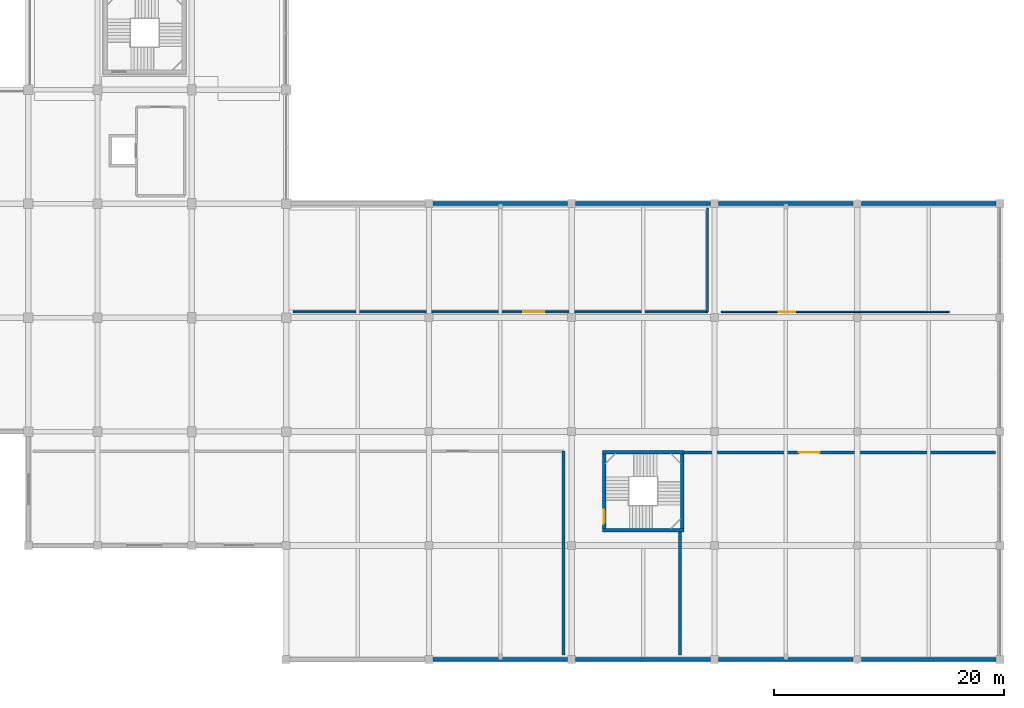
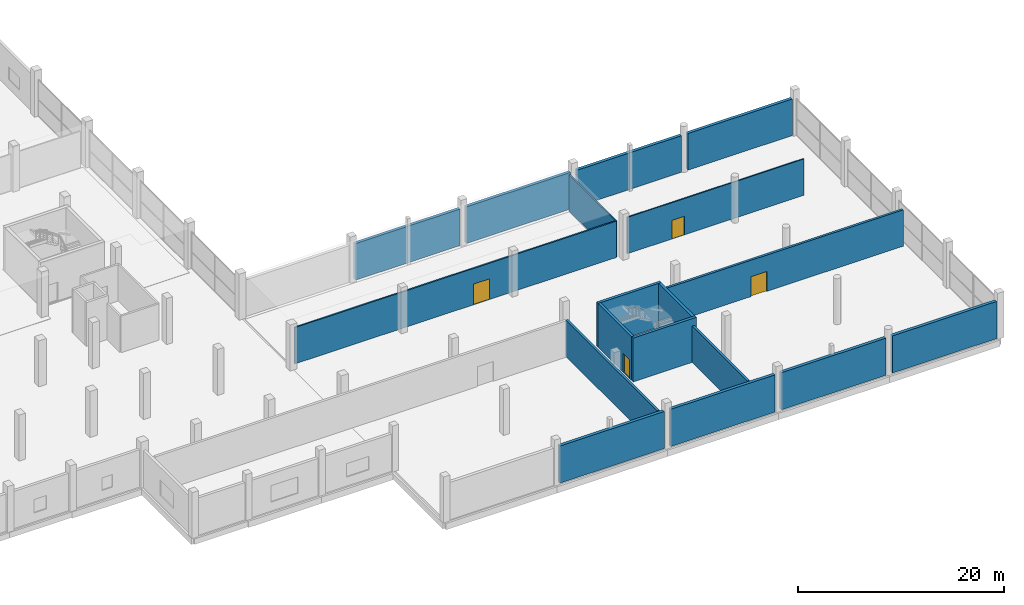
# One storey, part 48 of 74: 18 walls, 4 doors, 4 openings.
"""IFC4 building model written with IfcOpenShell, lengths in metres."""

from ifc_helpers import new_model, si_unit, direction, frame, frame_2d, origin, place, context, subcontext, project, spatial, rectangle, extrude, material, layer, layer_set, type_object, element, fill, save


model = new_model("IFC4")

# Units and contexts
model_context = context("Model", 3, precision=1e-05, world=origin(), true_north=direction((0.0, 1.0)))
body_context = subcontext(model_context, "Body", "Model", "MODEL_VIEW")
ifc_project = project(units=[si_unit("LENGTHUNIT", "METRE"), si_unit("AREAUNIT", "SQUARE_METRE"), si_unit("VOLUMEUNIT", "CUBIC_METRE"), si_unit("PLANEANGLEUNIT", "RADIAN"), si_unit("MASSUNIT", "GRAM", prefix="KILO")], contexts=[model_context])

# Site, building, storey
site_placement = place(None, origin())
site = spatial("IfcSite", under=ifc_project, at=site_placement, CompositionType="ELEMENT")
building_placement = place(site_placement, origin())
building = spatial("IfcBuilding", under=site, at=building_placement, Name="Sillaruma Civic Art Gallery", CompositionType="ELEMENT")
storey_placement = place(building_placement, frame((0.0, 0.0, 5.43994140625)))
storey = spatial("IfcBuildingStorey", under=building, at=storey_placement, Name="L01", CompositionType="ELEMENT", Elevation=5.43994140625)

# Walls
ifc_material_1 = material(Name="Concrete H40 (40 MPa)", Category="concrete")
ifc_layer_1 = layer(ifc_material_1, 0.300048828125, Name="Concrete H40 (40 MPa)")
ifc_layer_set_1 = layer_set([ifc_layer_1], Name="Concrete H40 (40 MPa)")
wall_type_1 = type_object("IfcWallType", Name="WAL-CORE-300", PredefinedType="SHEAR", material=ifc_layer_set_1)
for number, where, z_axis, x_axis, name in (
    (1, (141.860107421875, 11.25, 0.0), (0.0, 0.0, 1.0), (1.0, 0.0, 0.0), "Stair Core Shear Wall W-CORE-300 (ST-05:L01:S)"),
    (2, (141.860107421875, 18.030029296875, 0.0), (0.0, 0.0, 1.0), (1.0, 0.0, 0.0), "Stair Core Shear Wall W-CORE-300 (ST-05:L01:N)"),
):
    element("IfcWall", number, at=place(storey_placement, frame(where, z_axis=z_axis, x_axis=x_axis)), inside=storey, type_object=wall_type_1, Name=name, PredefinedType="SHEAR", context=body_context, shape_type="SweptSolid", body=[
        extrude(rectangle(XDim=7.079833984375, YDim=0.300048828125, at=frame_2d((3.5400390625, 0.0))), origin(), (0.0, 0.0, 1.0), 5.18017578125),
    ])

# Wall, opening, door
wall_1_placement = place(storey_placement, frame((142.010009765625, 11.39990234375, 0.0), z_axis=(0.0, 0.0, 1.0), x_axis=(0.0, 1.0, 0.0)))
wall_1 = element("IfcWall", 3, at=wall_1_placement, inside=storey, type_object=wall_type_1, Name="Stair Core Shear Wall W-CORE-300 (ST-05:L01:W)", PredefinedType="SHEAR", context=body_context, shape_type="SweptSolid", body=[
    extrude(rectangle(XDim=6.47998046875, YDim=0.300048828125, at=frame_2d((3.239990234375, 0.0))), origin(), (0.0, 0.0, 1.0), 5.18017578125),
])
opening_1_placement = place(wall_1_placement, frame((0.419921875, 0.0, 0.0)))
opening_1 = element("IfcOpeningElement", 4, at=opening_1_placement, cuts=wall_1, Name="Opening D-STAIR", PredefinedType="OPENING", context=body_context, shape_type="SweptSolid", body=[
    extrude(rectangle(XDim=1.199951171875, YDim=2.199951171875, at=frame_2d((0.60009765625, 1.10009765625))), frame((0.0, 0.159912109375, 0.0), z_axis=(0.0, -1.0, 0.0), x_axis=(1.0, 0.0, 0.0)), (0.0, 0.0, 1.0), 0.320068359375),
])
ifc_material_2 = material(Name="Galvanised Steel ASTM A653 Gr.50", Category="steel")
door_type_1 = type_object("IfcDoorType", Name="DOR-STAIR-120", OperationType="NOTDEFINED", PredefinedType="DOOR", material=ifc_material_2)
door_1_placement = place(opening_1_placement, frame((1.199951171875, 0.0, 0.0), z_axis=(0.0, 0.0, 1.0), x_axis=(-1.0, 0.0, 0.0)))
door_1 = element("IfcDoor", 5, at=door_1_placement, inside=storey, type_object=door_type_1, Name="Protected Stair Fire Door (ST-05:L01)", OperationType="SINGLE_SWING_RIGHT", OverallHeight=2.199951171875, OverallWidth=1.199951171875, PredefinedType="DOOR", context=body_context, shape_type="SweptSolid", body=[
    extrude(rectangle(XDim=1.199951171875, YDim=2.199951171875, at=frame_2d((0.60009765625, 1.10009765625))), frame((0.0, 0.02490234375, 0.0), z_axis=(0.0, -1.0, 0.0), x_axis=(1.0, 0.0, 0.0)), (0.0, 0.0, 1.0), 0.050048828125),
])
fill(opening_1, door_1)

# Walls
wall_2_placement = place(storey_placement, frame((148.7900390625, 11.39990234375, 0.0), z_axis=(0.0, 0.0, 1.0), x_axis=(0.0, 1.0, 0.0)))
element("IfcWall", 6, at=wall_2_placement, inside=storey, type_object=wall_type_1, Name="Stair Core Shear Wall W-CORE-300 (ST-05:L01:E)", PredefinedType="SHEAR", context=body_context, shape_type="SweptSolid", body=[
    extrude(rectangle(XDim=6.47998046875, YDim=0.300048828125, at=frame_2d((3.239990234375, 0.0))), origin(), (0.0, 0.0, 1.0), 5.18017578125),
])
ifc_layer_2 = layer(ifc_material_1, 0.239990234375, Name="Boundary concrete", Category="concrete")
ifc_material_3 = material(Name="Mineral Wool Thermal Insulation", Category="insulation")
ifc_layer_3 = layer(ifc_material_3, 0.10009765625, Name="Acoustic-thermal liner", Category="insulation")
ifc_layer_set_2 = layer_set([ifc_layer_2, ifc_layer_3], Name="W-EXT-340")
wall_type_2 = type_object("IfcWallType", Name="WAL-EXT-340", PredefinedType="SOLIDWALL", material=ifc_layer_set_2)
wall_3_placement = place(storey_placement, frame((127.14990234375, 0.0, 0.0), z_axis=(0.0, 0.0, 1.0), x_axis=(1.0, 0.0, 0.0)))
element("IfcWall", 7, at=wall_3_placement, inside=storey, type_object=wall_type_2, Name="Exterior Wall W-EXT-340 (EW-L01-EPS-2)", PredefinedType="SOLIDWALL", context=body_context, shape_type="SweptSolid", body=[
    extrude(rectangle(XDim=11.7001953125, YDim=0.340087890625, at=frame_2d((5.85009765625, 0.0))), origin(), (0.0, 0.0, 1.0), 4.400146484375),
])
wall_4_placement = place(storey_placement, frame((127.14990234375, 39.60009765625, 0.0), z_axis=(0.0, 0.0, 1.0), x_axis=(1.0, 0.0, 0.0)))
element("IfcWall", 8, at=wall_4_placement, inside=storey, type_object=wall_type_2, Name="Exterior Wall W-EXT-340 (EW-L01-EPN-2)", PredefinedType="SOLIDWALL", context=body_context, shape_type="SweptSolid", body=[
    extrude(rectangle(XDim=11.7001953125, YDim=0.340087890625, at=frame_2d((5.85009765625, 0.0))), origin(), (0.0, 0.0, 1.0), 4.330078125),
])
wall_5_placement = place(storey_placement, frame((139.550048828125, 0.0, 0.0), z_axis=(0.0, 0.0, 1.0), x_axis=(1.0, 0.0, 0.0)))
element("IfcWall", 9, at=wall_5_placement, inside=storey, type_object=wall_type_2, Name="Exterior Wall W-EXT-340 (EW-L01-EPS-3)", PredefinedType="SOLIDWALL", context=body_context, shape_type="SweptSolid", body=[
    extrude(rectangle(XDim=11.699951171875, YDim=0.340087890625, at=frame_2d((5.85009765625, 0.0))), origin(), (0.0, 0.0, 1.0), 4.400146484375),
])
wall_6_placement = place(storey_placement, frame((139.550048828125, 39.60009765625, 0.0), z_axis=(0.0, 0.0, 1.0), x_axis=(1.0, 0.0, 0.0)))
element("IfcWall", 10, at=wall_6_placement, inside=storey, type_object=wall_type_2, Name="Exterior Wall W-EXT-340 (EW-L01-EPN-3)", PredefinedType="SOLIDWALL", context=body_context, shape_type="SweptSolid", body=[
    extrude(rectangle(XDim=11.699951171875, YDim=0.340087890625, at=frame_2d((5.85009765625, 0.0))), origin(), (0.0, 0.0, 1.0), 4.330078125),
])
wall_7_placement = place(storey_placement, frame((151.949951171875, 0.0, 0.0), z_axis=(0.0, 0.0, 1.0), x_axis=(1.0, 0.0, 0.0)))
element("IfcWall", 11, at=wall_7_placement, inside=storey, type_object=wall_type_2, Name="Exterior Wall W-EXT-340 (EW-L01-EPS-4)", PredefinedType="SOLIDWALL", context=body_context, shape_type="SweptSolid", body=[
    extrude(rectangle(XDim=11.68994140625, YDim=0.340087890625, at=frame_2d((5.844970703125, 0.0))), origin(), (0.0, 0.0, 1.0), 4.400146484375),
])
wall_8_placement = place(storey_placement, frame((151.949951171875, 39.60009765625, 0.0), z_axis=(0.0, 0.0, 1.0), x_axis=(1.0, 0.0, 0.0)))
element("IfcWall", 12, at=wall_8_placement, inside=storey, type_object=wall_type_2, Name="Exterior Wall W-EXT-340 (EW-L01-EPN-4)", PredefinedType="SOLIDWALL", context=body_context, shape_type="SweptSolid", body=[
    extrude(rectangle(XDim=11.68994140625, YDim=0.340087890625, at=frame_2d((5.844970703125, 0.0))), origin(), (0.0, 0.0, 1.0), 4.330078125),
])
wall_9_placement = place(storey_placement, frame((164.360107421875, 0.0, 0.0), z_axis=(0.0, 0.0, 1.0), x_axis=(1.0, 0.0, 0.0)))
element("IfcWall", 13, at=wall_9_placement, inside=storey, type_object=wall_type_2, Name="Exterior Wall W-EXT-340 (EW-L01-EPS-5)", PredefinedType="SOLIDWALL", context=body_context, shape_type="SweptSolid", body=[
    extrude(rectangle(XDim=11.68994140625, YDim=0.340087890625, at=frame_2d((5.844970703125, 0.0))), origin(), (0.0, 0.0, 1.0), 4.400146484375),
])
wall_10_placement = place(storey_placement, frame((164.360107421875, 39.60009765625, 0.0), z_axis=(0.0, 0.0, 1.0), x_axis=(1.0, 0.0, 0.0)))
element("IfcWall", 14, at=wall_10_placement, inside=storey, type_object=wall_type_2, Name="Exterior Wall W-EXT-340 (EW-L01-EPN-5)", PredefinedType="SOLIDWALL", context=body_context, shape_type="SweptSolid", body=[
    extrude(rectangle(XDim=11.68994140625, YDim=0.340087890625, at=frame_2d((5.844970703125, 0.0))), origin(), (0.0, 0.0, 1.0), 4.330078125),
])

# Wall, opening, door
ifc_material_4 = material(Name="Gypsum Acoustic Board", Category="gypsum")
ifc_layer_4 = layer(ifc_material_4, 0.02490234375, Name="Finish board", Category="gypsum")
ifc_layer_5 = layer(ifc_material_3, 0.090087890625, Name="Acoustic core", Category="insulation")
ifc_material_5 = material(Name="Andean Oak Timber", Category="wood")
ifc_layer_6 = layer(ifc_material_5, 0.02490234375, Name="Gallery lining", Category="wood")
ifc_layer_set_3 = layer_set([ifc_layer_4, ifc_layer_5, ifc_layer_6], Name="W-PT-140")
wall_type_3 = type_object("IfcWallType", Name="WAL-PART-140", PredefinedType="PARTITIONING", material=ifc_layer_set_3)
wall_11_placement = place(storey_placement, frame((152.199951171875, 30.199951171875, 0.0), z_axis=(0.0, 0.0, 1.0), x_axis=(1.0, 0.0, 0.0)))
wall_11 = element("IfcWall", 15, at=wall_11_placement, inside=storey, type_object=wall_type_3, Name="Interior Wall W-PT-140 (L01-CUR11)", PredefinedType="PARTITIONING", context=body_context, shape_type="SweptSolid", body=[
    extrude(rectangle(XDim=19.800048828125, YDim=0.139892578125, at=frame_2d((9.89990234375, 0.0))), origin(), (0.0, 0.0, 1.0), 4.300048828125),
])
opening_2_placement = place(wall_11_placement, frame((5.0, 0.0, 0.0)))
opening_2 = element("IfcOpeningElement", 16, at=opening_2_placement, cuts=wall_11, Name="Opening D-INT14", PredefinedType="OPENING", context=body_context, shape_type="SweptSolid", body=[
    extrude(rectangle(XDim=1.39990234375, YDim=2.199951171875, at=frame_2d((0.699951171875, 1.10009765625))), frame((0.0, 0.079833984375, 0.0), z_axis=(0.0, -1.0, 0.0), x_axis=(1.0, 0.0, 0.0)), (0.0, 0.0, 1.0), 0.159912109375),
])
door_type_2 = type_object("IfcDoorType", Name="DOR-INT-140", OperationType="NOTDEFINED", PredefinedType="DOOR", material=ifc_material_5)
door_2_placement = place(opening_2_placement, origin())
door_2 = element("IfcDoor", 17, at=door_2_placement, inside=storey, type_object=door_type_2, Name="Exhibitions Curatorial Office Door (D-INT14)", OperationType="SINGLE_SWING_LEFT", OverallHeight=2.199951171875, OverallWidth=1.39990234375, PredefinedType="DOOR", context=body_context, shape_type="SweptSolid", body=[
    extrude(rectangle(XDim=1.39990234375, YDim=2.199951171875, at=frame_2d((0.699951171875, 1.10009765625))), frame((0.0, 0.02490234375, 0.0), z_axis=(0.0, -1.0, 0.0), x_axis=(1.0, 0.0, 0.0)), (0.0, 0.0, 1.0), 0.050048828125),
])
fill(opening_2, door_2)

# Wall
ifc_layer_7 = layer(ifc_material_4, 0.02490234375, Name="Finish board", Category="gypsum")
ifc_layer_8 = layer(ifc_material_3, 0.10009765625, Name="Acoustic core", Category="insulation")
ifc_layer_9 = layer(ifc_material_5, 0.02490234375, Name="Gallery lining", Category="wood")
ifc_layer_set_4 = layer_set([ifc_layer_7, ifc_layer_8, ifc_layer_9], Name="W-PT-150")
wall_type_4 = type_object("IfcWallType", Name="WAL-PART-150", PredefinedType="PARTITIONING", material=ifc_layer_set_4)
wall_12_placement = place(storey_placement, frame((151.0, 30.199951171875, 0.0), z_axis=(0.0, 0.0, 1.0), x_axis=(0.0, 1.0, 0.0)))
element("IfcWall", 18, at=wall_12_placement, inside=storey, type_object=wall_type_4, Name="Interior Wall W-PT-150 (L01-GAL13)", PredefinedType="PARTITIONING", context=body_context, shape_type="SweptSolid", body=[
    extrude(rectangle(XDim=9.0, YDim=0.14990234375, at=frame_2d((4.5, 0.0))), origin(), (0.0, 0.0, 1.0), 4.300048828125),
])

# Wall, opening, door
ifc_layer_10 = layer(ifc_material_4, 0.02490234375, Name="Finish board", Category="gypsum")
ifc_layer_11 = layer(ifc_material_3, 0.114990234375, Name="Acoustic core", Category="insulation")
ifc_layer_12 = layer(ifc_material_5, 0.02490234375, Name="Gallery lining", Category="wood")
ifc_layer_set_5 = layer_set([ifc_layer_10, ifc_layer_11, ifc_layer_12], Name="W-PT-165")
wall_type_5 = type_object("IfcWallType", Name="WAL-PART-165", PredefinedType="PARTITIONING", material=ifc_layer_set_5)
wall_13_placement = place(storey_placement, frame((115.0, 30.199951171875, 0.0), z_axis=(0.0, 0.0, 1.0), x_axis=(1.0, 0.0, 0.0)))
wall_13 = element("IfcWall", 19, at=wall_13_placement, inside=storey, type_object=wall_type_5, Name="Interior Wall W-PT-165 (L01-GAL13)", PredefinedType="PARTITIONING", context=body_context, shape_type="SweptSolid", body=[
    extrude(rectangle(XDim=36.0, YDim=0.1650390625, at=frame_2d((18.0, 0.0))), origin(), (0.0, 0.0, 1.0), 4.300048828125),
])
opening_3_placement = place(wall_13_placement, frame((20.0, 0.0, 0.0)))
opening_3 = element("IfcOpeningElement", 20, at=opening_3_placement, cuts=wall_13, Name="Opening D-GAL18", PredefinedType="OPENING", context=body_context, shape_type="SweptSolid", body=[
    extrude(rectangle(XDim=1.800048828125, YDim=2.449951171875, at=frame_2d((0.89990234375, 1.22509765625))), frame((0.0, 0.092529296875, 0.0), z_axis=(0.0, -1.0, 0.0), x_axis=(1.0, 0.0, 0.0)), (0.0, 0.0, 1.0), 0.18505859375),
])
door_type_3 = type_object("IfcDoorType", Name="DOR-GAL-180", OperationType="NOTDEFINED", PredefinedType="DOOR", material=ifc_material_5)
door_3_placement = place(opening_3_placement, origin())
door_3 = element("IfcDoor", 21, at=door_3_placement, inside=storey, type_object=door_type_3, Name="East Podium Temporary Gallery Door (D-GAL18)", OperationType="DOUBLE_DOOR_SINGLE_SWING", OverallHeight=2.449951171875, OverallWidth=1.800048828125, PredefinedType="DOOR", context=body_context, shape_type="SweptSolid", body=[
    extrude(rectangle(XDim=1.800048828125, YDim=2.449951171875, at=frame_2d((0.89990234375, 1.22509765625))), frame((0.0, 0.02490234375, 0.0), z_axis=(0.0, -1.0, 0.0), x_axis=(1.0, 0.0, 0.0)), (0.0, 0.0, 1.0), 0.050048828125),
])
fill(opening_3, door_3)

# Wall
ifc_material_6 = material(Name="Concrete Masonry Unit Grade M15", Category="masonry")
ifc_layer_13 = layer(ifc_material_6, 0.2548828125, Name="Concrete Masonry Unit Grade M15")
ifc_layer_set_6 = layer_set([ifc_layer_13], Name="Concrete Masonry Unit Grade M15")
wall_type_6 = type_object("IfcWallType", Name="WAL-STORE-250", PredefinedType="SOLIDWALL", material=ifc_layer_set_6)
wall_14_placement = place(storey_placement, frame((138.5, 0.39990234375, 0.0), z_axis=(0.0, 0.0, 1.0), x_axis=(0.0, 1.0, 0.0)))
element("IfcWall", 22, at=wall_14_placement, inside=storey, type_object=wall_type_6, Name="Interior Wall W-STORE-250 (L01-STR12)", PredefinedType="SOLIDWALL", context=body_context, shape_type="SweptSolid", body=[
    extrude(rectangle(XDim=17.7001953125, YDim=0.2548828125, at=frame_2d((8.85009765625, 0.0))), origin(), (0.0, 0.0, 1.0), 4.300048828125),
])

# Wall, opening, door
wall_15_placement = place(storey_placement, frame((148.93994140625, 18.0, 0.0), z_axis=(0.0, 0.0, 1.0), x_axis=(1.0, 0.0, 0.0)))
wall_15 = element("IfcWall", 23, at=wall_15_placement, inside=storey, type_object=wall_type_6, Name="Interior Wall W-STORE-250 (L01-STR13)", PredefinedType="SOLIDWALL", context=body_context, shape_type="SweptSolid", body=[
    extrude(rectangle(XDim=27.06005859375, YDim=0.2548828125, at=frame_2d((13.530029296875, 0.0))), origin(), (0.0, 0.0, 1.0), 4.300048828125),
])
opening_4_placement = place(wall_15_placement, frame((10.0, 0.0, 0.0)))
opening_4 = element("IfcOpeningElement", 24, at=opening_4_placement, cuts=wall_15, Name="Opening D-STR18", PredefinedType="OPENING", context=body_context, shape_type="SweptSolid", body=[
    extrude(rectangle(XDim=1.800048828125, YDim=2.35009765625, at=frame_2d((0.89990234375, 1.175048828125))), frame((0.0, 0.137451171875, 0.0), z_axis=(0.0, -1.0, 0.0), x_axis=(1.0, 0.0, 0.0)), (0.0, 0.0, 1.0), 0.27490234375),
])
door_type_4 = type_object("IfcDoorType", Name="DOR-STORE-180", OperationType="NOTDEFINED", PredefinedType="DOOR", material=ifc_material_2)
door_4_placement = place(opening_4_placement, origin())
door_4 = element("IfcDoor", 25, at=door_4_placement, inside=storey, type_object=door_type_4, Name="East Flank Sculpture Art Store Door (D-STR18)", OperationType="DOUBLE_DOOR_SINGLE_SWING", OverallHeight=2.35009765625, OverallWidth=1.800048828125, PredefinedType="DOOR", context=body_context, shape_type="SweptSolid", body=[
    extrude(rectangle(XDim=1.800048828125, YDim=2.35009765625, at=frame_2d((0.89990234375, 1.175048828125))), frame((0.0, 0.02490234375, 0.0), z_axis=(0.0, -1.0, 0.0), x_axis=(1.0, 0.0, 0.0)), (0.0, 0.0, 1.0), 0.050048828125),
])
fill(opening_4, door_4)

# Wall
wall_16_placement = place(storey_placement, frame((148.60009765625, 0.39990234375, 0.0), z_axis=(0.0, 0.0, 1.0), x_axis=(0.0, 1.0, 0.0)))
element("IfcWall", 26, at=wall_16_placement, inside=storey, type_object=wall_type_6, Name="Interior Wall W-STORE-250 (L01-STR13)", PredefinedType="SOLIDWALL", context=body_context, shape_type="SweptSolid", body=[
    extrude(rectangle(XDim=10.7001953125, YDim=0.2548828125, at=frame_2d((5.35009765625, 0.0))), origin(), (0.0, 0.0, 1.0), 4.300048828125),
])

save(model, "model.ifc")
